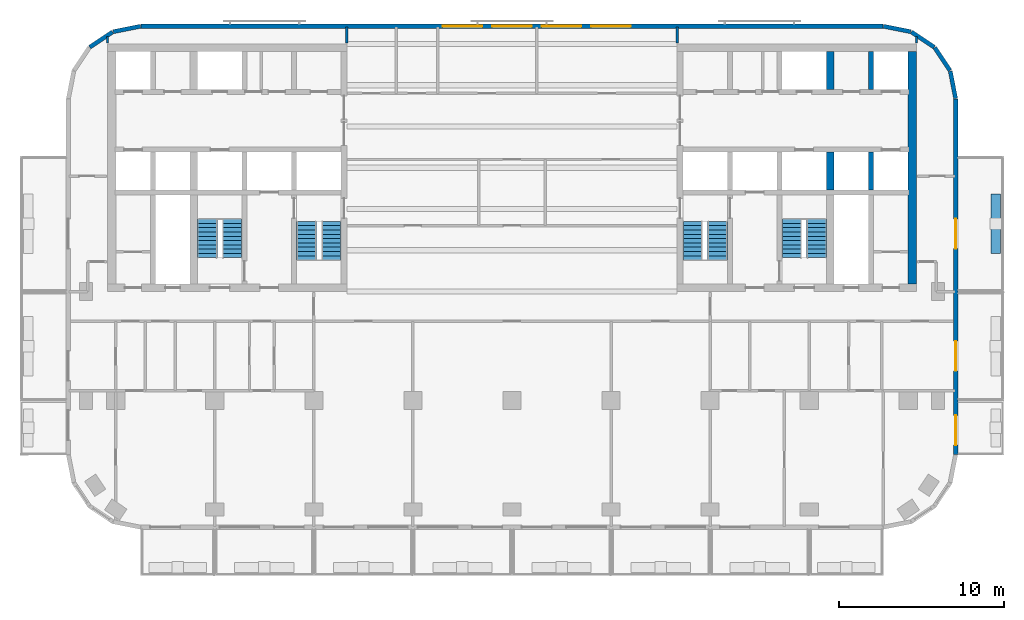
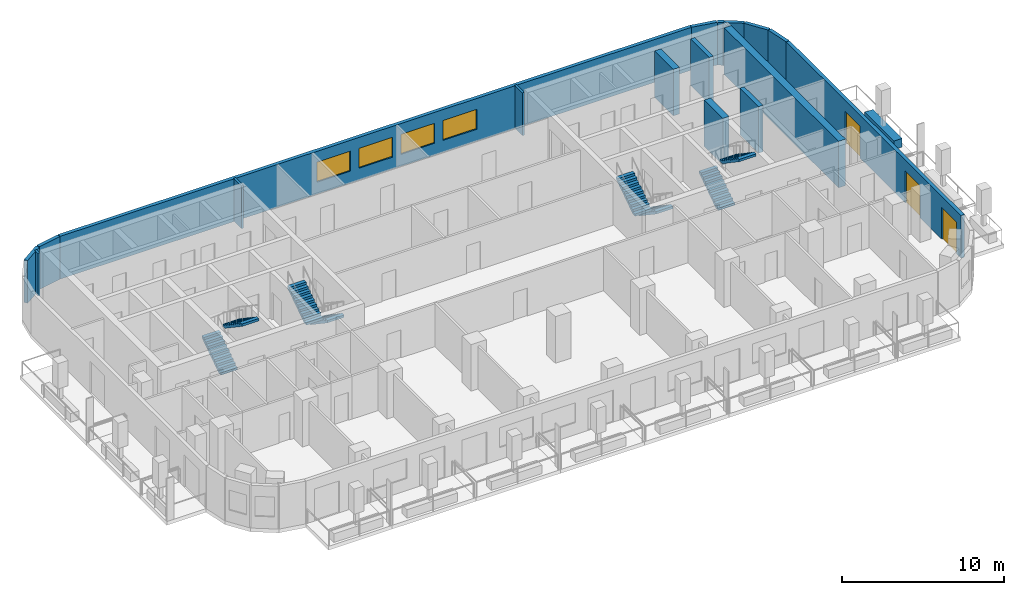
# One storey, part 7 of 11: 18 walls, 8 stair flights, 4 windows, 3 doors, 7 openings, 4 elements without a shape of their own.
"""IFC4 building model written with IfcOpenShell, lengths in metres."""

from ifc_helpers import new_model, si_unit, direction, frame, frame_2d, origin, place, context, subcontext, project, spatial, polyline, rectangle, outline, extrude, material, layer, layer_set, type_object, element, fill, aggregate, save


model = new_model("IFC4")

# Units and contexts
model_context = context("Model", 3, precision=1e-05, world=origin(), true_north=direction((0.0, 1.0)))
body_context = subcontext(model_context, "Body", "Model", "MODEL_VIEW")
ifc_project = project(units=[si_unit("LENGTHUNIT", "METRE"), si_unit("AREAUNIT", "SQUARE_METRE"), si_unit("VOLUMEUNIT", "CUBIC_METRE"), si_unit("PLANEANGLEUNIT", "RADIAN"), si_unit("MASSUNIT", "GRAM", prefix="KILO")], contexts=[model_context])

# Site, building, storey
site_placement = place(None, origin())
site = spatial("IfcSite", under=ifc_project, at=site_placement, CompositionType="ELEMENT")
building_placement = place(site_placement, origin())
building = spatial("IfcBuilding", under=site, at=building_placement, Name="Torana Hotel and Residences", CompositionType="ELEMENT")
storey_placement = place(building_placement, frame((0.0, 0.0, 218.60009765625)))
storey = spatial("IfcBuildingStorey", under=building, at=storey_placement, Name="L57", CompositionType="ELEMENT", Elevation=218.60009765625)

# Walls
ifc_material_1 = material(Name="Concrete C70/85", Category="concrete")
ifc_layer_1 = layer(ifc_material_1, 0.300048828125)
ifc_layer_set_1 = layer_set([ifc_layer_1], Name="CORE WALL 300 C70/85")
wall_type_1 = type_object("IfcWallType", Name="CORE WALL 300 C70/85", PredefinedType="SHEAR", material=ifc_layer_set_1)
for number, where, z_axis, x_axis, name in (
    (1, (21.75, -2.75, 0.0), (0.0, 0.0, 1.0), (0.0, 1.0, 0.0), "Core wall E mm-N"),
    (2, (21.75, -8.85009765625, 0.0), (0.0, 0.0, 1.0), (0.0, 1.0, 0.0), "Core wall E mm-S"),
):
    element("IfcWall", number, at=place(storey_placement, frame(where, z_axis=z_axis, x_axis=x_axis)), inside=storey, type_object=wall_type_1, Name=name, PredefinedType="SHEAR", context=body_context, shape_type="SweptSolid", body=[
        extrude(rectangle(XDim=2.300048828125, YDim=0.300048828125, at=frame_2d((1.14990234375, 0.0))), origin(), (0.0, 0.0, 1.0), 3.5),
    ])
ifc_material_2 = material(Name="Concrete C70/85", Category="concrete")
ifc_layer_2 = layer(ifc_material_2, 0.449951171875)
ifc_layer_set_2 = layer_set([ifc_layer_2], Name="CORE WALL 450 C70/85")
wall_type_2 = type_object("IfcWallType", Name="CORE WALL 450 C70/85", PredefinedType="SHEAR", material=ifc_layer_set_2)
for number, where, z_axis, x_axis, name in (
    (3, (19.27490234375, -2.75, 0.0), (0.0, 0.0, 1.0), (0.0, 1.0, 0.0), "Core wall E hm-N"),
    (4, (19.27490234375, -8.85009765625, 0.0), (0.0, 0.0, 1.0), (0.0, 1.0, 0.0), "Core wall E hm-S"),
):
    element("IfcWall", number, at=place(storey_placement, frame(where, z_axis=z_axis, x_axis=x_axis)), inside=storey, type_object=wall_type_2, Name=name, PredefinedType="SHEAR", context=body_context, shape_type="SweptSolid", body=[
        extrude(rectangle(XDim=2.300048828125, YDim=0.449951171875, at=frame_2d((1.14990234375, 0.0))), origin(), (0.0, 0.0, 1.0), 3.5),
    ])
ifc_material_3 = material(Name="Concrete C70/85", Category="concrete")
ifc_layer_3 = layer(ifc_material_3, 0.5)
ifc_layer_set_3 = layer_set([ifc_layer_3], Name="CORE WALL 500 C70/85")
wall_type_3 = type_object("IfcWallType", Name="CORE WALL 500 C70/85", PredefinedType="SHEAR", material=ifc_layer_set_3)
wall_1_placement = place(storey_placement, frame((24.25, -14.550048828125, 0.0), z_axis=(0.0, 0.0, 1.0), x_axis=(0.0, 1.0, 0.0)))
element("IfcWall", 5, at=wall_1_placement, inside=storey, type_object=wall_type_3, Name="Core wall E outer", PredefinedType="SHEAR", context=body_context, shape_type="SweptSolid", body=[
    extrude(rectangle(XDim=14.10009765625, YDim=0.5, at=frame_2d((7.050048828125, 0.0))), origin(), (0.0, 0.0, 1.0), 3.5),
])
ifc_material_4 = material(Name="Black aluminium composite panel", Category="aluminium")
ifc_layer_4 = layer(ifc_material_4, 0.00390625, Name="Cladding", Category="cladding")
ifc_material_5 = material(Name="Ventilated air cavity")
ifc_layer_5 = layer(ifc_material_5, 0.0400390625, Name="Ventilated cavity", Category="cavity")
ifc_material_6 = material(Name="Mineral wool insulation")
ifc_layer_6 = layer(ifc_material_6, 0.090087890625, Name="Insulation", Category="insulation")
ifc_material_7 = material(Name="Steel S280GD", Category="steel")
ifc_layer_7 = layer(ifc_material_7, 0.092041015625, Name="Steel stud frame", Category="structure")
ifc_material_8 = material(Name="Fire rated plasterboard")
ifc_layer_8 = layer(ifc_material_8, 0.011962890625, Name="Inner board", Category="finish")
ifc_layer_9 = layer(ifc_material_8, 0.011962890625, Name="Second board", Category="finish")
ifc_layer_set_4 = layer_set([ifc_layer_4, ifc_layer_5, ifc_layer_6, ifc_layer_7, ifc_layer_8, ifc_layer_9], Name="EW1 EXTERNAL WALL BLACK METAL CLAD 250")
wall_type_4 = type_object("IfcWallType", Name="EW1 EXTERNAL WALL BLACK METAL CLAD 250", PredefinedType="SOLIDWALL", material=ifc_layer_set_4)
wall_2_placement = place(storey_placement, frame((26.87255859375, -3.30029296875, 0.0), z_axis=(0.0, 0.0, 1.0), x_axis=(-0.194999110559, 0.980803419081, 0.0)))
element("IfcWall", 6, at=wall_2_placement, inside=storey, type_object=wall_type_4, Name="External wall L57 e0.0", PredefinedType="SOLIDWALL", context=body_context, shape_type="SweptSolid", body=[
    extrude(rectangle(XDim=1.681396484375, YDim=0.25, at=frame_2d((0.8408203125, 0.0))), origin(), (0.0, 0.0, 1.0), 3.219970703125),
])
for number, where, z_axis, x_axis, name in (
    (7, (26.52587890625, -1.60595703125, 0.0), (0.0, 0.0, 1.0), (-0.55555029066, 0.831482937015, 0.0), "External wall L57 e0.1"),
    (8, (25.5712890625, -0.1943359375, 0.0), (0.0, 0.0, 1.0), (-0.831482937015, 0.55555029066, 0.0), "External wall L57 e0.2"),
):
    element("IfcWall", number, at=place(storey_placement, frame(where, z_axis=z_axis, x_axis=x_axis)), inside=storey, type_object=wall_type_4, Name=name, PredefinedType="SOLIDWALL", context=body_context, shape_type="SweptSolid", body=[
        extrude(rectangle(XDim=1.65625, YDim=0.25, at=frame_2d((0.828125, 0.0))), origin(), (0.0, 0.0, 1.0), 3.219970703125),
    ])
for number, where, z_axis, x_axis, name in (
    (9, (24.14892578125, 0.74462890625, 0.0), (0.0, 0.0, 1.0), (-0.980803419081, 0.194999110559, 0.0), "External wall L57 e0.3"),
    (10, (-22.499755859375, 1.072509765625, 0.0), (0.0, 0.0, 1.0), (-0.980803419081, -0.194999110559, 0.0), "External wall L57 e0.5"),
):
    element("IfcWall", number, at=place(storey_placement, frame(where, z_axis=z_axis, x_axis=x_axis)), inside=storey, type_object=wall_type_4, Name=name, PredefinedType="SOLIDWALL", context=body_context, shape_type="SweptSolid", body=[
        extrude(rectangle(XDim=1.681396484375, YDim=0.25, at=frame_2d((0.8408203125, 0.0))), origin(), (0.0, 0.0, 1.0), 3.219970703125),
    ])
wall_3_placement = place(storey_placement, frame((-24.194091796875, 0.725830078125, 0.0), z_axis=(0.0, 0.0, 1.0), x_axis=(-0.831482937015, -0.55555029066, 0.0)))
element("IfcWall", 11, at=wall_3_placement, inside=storey, type_object=wall_type_4, Name="External wall L57 e0.6", PredefinedType="SOLIDWALL", context=body_context, shape_type="SweptSolid", body=[
    extrude(rectangle(XDim=1.65625, YDim=0.25, at=frame_2d((0.828125, 0.0))), origin(), (0.0, 0.0, 1.0), 3.219970703125),
])

# Wall, openings, doors
wall_4_placement = place(storey_placement, frame((26.875, -24.87548828125, 0.0), z_axis=(0.0, 0.0, 1.0), x_axis=(0.0, 1.0, 0.0)))
wall_4 = element("IfcWall", 12, at=wall_4_placement, inside=storey, type_object=wall_type_4, Name="External wall L57 e0.19", PredefinedType="SOLIDWALL", context=body_context, shape_type="SweptSolid", body=[
    extrude(rectangle(XDim=21.55078125, YDim=0.25, at=frame_2d((10.775390625, 0.0))), origin(), (0.0, 0.0, 1.0), 3.219970703125),
])
opening_1_placement = place(wall_4_placement, frame((0.575439453125, 0.0, 0.0)))
opening_1 = element("IfcOpeningElement", 13, at=opening_1_placement, cuts=wall_4, Name="Opening L57-E09", PredefinedType="OPENING", context=body_context, shape_type="SweptSolid", body=[
    extrude(rectangle(XDim=1.800048828125, YDim=2.39990234375, at=frame_2d((0.89990234375, 1.199951171875))), frame((0.0, 0.135009765625, 0.0), z_axis=(0.0, -1.0, 0.0), x_axis=(1.0, 0.0, 0.0)), (0.0, 0.0, 1.0), 0.27001953125),
])
opening_2_placement = place(wall_4_placement, frame((5.075439453125, 0.0, 0.0)))
opening_2 = element("IfcOpeningElement", 14, at=opening_2_placement, cuts=wall_4, Name="Opening L57-E10", PredefinedType="OPENING", context=body_context, shape_type="SweptSolid", body=[
    extrude(rectangle(XDim=1.800048828125, YDim=2.39990234375, at=frame_2d((0.89990234375, 1.199951171875))), frame((0.0, 0.135009765625, 0.0), z_axis=(0.0, -1.0, 0.0), x_axis=(1.0, 0.0, 0.0)), (0.0, 0.0, 1.0), 0.27001953125),
])
opening_3_placement = place(wall_4_placement, frame((12.475341796875, 0.0, 0.0)))
opening_3 = element("IfcOpeningElement", 15, at=opening_3_placement, cuts=wall_4, Name="Opening L57-E11", PredefinedType="OPENING", context=body_context, shape_type="SweptSolid", body=[
    extrude(rectangle(XDim=1.800048828125, YDim=2.39990234375, at=frame_2d((0.89990234375, 1.199951171875))), frame((0.0, 0.135009765625, 0.0), z_axis=(0.0, -1.0, 0.0), x_axis=(1.0, 0.0, 0.0)), (0.0, 0.0, 1.0), 0.27001953125),
])
ifc_material_9 = material(Name="Dark glass in black aluminium frame", Category="aluminium")
door_type = type_object("IfcDoorType", Name="DB1 BALCONY DOOR 1800x2400", OperationType="DOUBLE_DOOR_SINGLE_SWING", PredefinedType="DOOR", material=ifc_material_9)
door_1_placement = place(opening_1_placement, origin())
door_1 = element("IfcDoor", 16, at=door_1_placement, inside=storey, type_object=door_type, Name="Balcony door L57", OperationType="DOUBLE_DOOR_SINGLE_SWING", OverallHeight=2.39990234375, OverallWidth=1.800048828125, PredefinedType="DOOR", context=body_context, shape_type="SweptSolid", body=[
    extrude(rectangle(XDim=1.800048828125, YDim=2.39990234375, at=frame_2d((0.89990234375, 1.199951171875))), frame((0.0, 0.02490234375, 0.0), z_axis=(0.0, -1.0, 0.0), x_axis=(1.0, 0.0, 0.0)), (0.0, 0.0, 1.0), 0.050048828125),
])
fill(opening_1, door_1)
door_2_placement = place(opening_2_placement, origin())
door_2 = element("IfcDoor", 17, at=door_2_placement, inside=storey, type_object=door_type, Name="Balcony door L57", OperationType="DOUBLE_DOOR_SINGLE_SWING", OverallHeight=2.39990234375, OverallWidth=1.800048828125, PredefinedType="DOOR", context=body_context, shape_type="SweptSolid", body=[
    extrude(rectangle(XDim=1.800048828125, YDim=2.39990234375, at=frame_2d((0.89990234375, 1.199951171875))), frame((0.0, 0.02490234375, 0.0), z_axis=(0.0, -1.0, 0.0), x_axis=(1.0, 0.0, 0.0)), (0.0, 0.0, 1.0), 0.050048828125),
])
fill(opening_2, door_2)
door_3_placement = place(opening_3_placement, origin())
door_3 = element("IfcDoor", 18, at=door_3_placement, inside=storey, type_object=door_type, Name="Balcony door L57", OperationType="DOUBLE_DOOR_SINGLE_SWING", OverallHeight=2.39990234375, OverallWidth=1.800048828125, PredefinedType="DOOR", context=body_context, shape_type="SweptSolid", body=[
    extrude(rectangle(XDim=1.800048828125, YDim=2.39990234375, at=frame_2d((0.89990234375, 1.199951171875))), frame((0.0, 0.02490234375, 0.0), z_axis=(0.0, -1.0, 0.0), x_axis=(1.0, 0.0, 0.0)), (0.0, 0.0, 1.0), 0.050048828125),
])
fill(opening_3, door_3)

# Wall, openings, windows
ifc_material_10 = material(Name="Concrete C40/50 precast", Category="concrete")
ifc_layer_10 = layer(ifc_material_10, 0.10009765625, Name="Perforated block", Category="cladding")
ifc_material_11 = material(Name="Air cavity")
ifc_layer_11 = layer(ifc_material_11, 0.030029296875, Name="Cavity", Category="cavity")
ifc_material_12 = material(Name="Concrete C40/50", Category="concrete")
ifc_layer_12 = layer(ifc_material_12, 0.10009765625, Name="Wall", Category="structure")
ifc_material_13 = material(Name="Plaster and paint")
ifc_layer_13 = layer(ifc_material_13, 0.02001953125, Name="Inner finish", Category="finish")
ifc_layer_set_5 = layer_set([ifc_layer_10, ifc_layer_11, ifc_layer_12, ifc_layer_13], Name="EW2 PERFORATED BLOCK SCREEN WALL 250")
wall_type_5 = type_object("IfcWallType", Name="EW2 PERFORATED BLOCK SCREEN WALL 250", PredefinedType="SOLIDWALL", material=ifc_layer_set_5)
wall_5_placement = place(storey_placement, frame((22.475341796875, 1.074951171875, 0.0), z_axis=(0.0, 0.0, 1.0), x_axis=(-1.0, 0.0, 0.0)))
wall_5 = element("IfcWall", 19, at=wall_5_placement, inside=storey, type_object=wall_type_5, Name="External wall L57 e0.4", PredefinedType="SOLIDWALL", context=body_context, shape_type="SweptSolid", body=[
    extrude(rectangle(XDim=44.95068359375, YDim=0.25, at=frame_2d((22.475341796875, 0.0))), origin(), (0.0, 0.0, 1.0), 3.219970703125),
])
opening_4_placement = place(wall_5_placement, frame((15.275390625, 0.0, 0.89990234375)))
opening_4 = element("IfcOpeningElement", 20, at=opening_4_placement, cuts=wall_5, Name="Opening W3", PredefinedType="OPENING", context=body_context, shape_type="SweptSolid", body=[
    extrude(rectangle(XDim=2.39990234375, YDim=1.5, at=frame_2d((1.199951171875, 0.75))), frame((0.0, 0.135009765625, 0.0), z_axis=(0.0, -1.0, 0.0), x_axis=(1.0, 0.0, 0.0)), (0.0, 0.0, 1.0), 0.27001953125),
])
opening_5_placement = place(wall_5_placement, frame((18.275390625, 0.0, 0.89990234375)))
opening_5 = element("IfcOpeningElement", 21, at=opening_5_placement, cuts=wall_5, Name="Opening W3", PredefinedType="OPENING", context=body_context, shape_type="SweptSolid", body=[
    extrude(rectangle(XDim=2.39990234375, YDim=1.5, at=frame_2d((1.199951171875, 0.75))), frame((0.0, 0.135009765625, 0.0), z_axis=(0.0, -1.0, 0.0), x_axis=(1.0, 0.0, 0.0)), (0.0, 0.0, 1.0), 0.27001953125),
])
opening_6_placement = place(wall_5_placement, frame((21.275390625, 0.0, 0.89990234375)))
opening_6 = element("IfcOpeningElement", 22, at=opening_6_placement, cuts=wall_5, Name="Opening W3", PredefinedType="OPENING", context=body_context, shape_type="SweptSolid", body=[
    extrude(rectangle(XDim=2.39990234375, YDim=1.5, at=frame_2d((1.199951171875, 0.75))), frame((0.0, 0.135009765625, 0.0), z_axis=(0.0, -1.0, 0.0), x_axis=(1.0, 0.0, 0.0)), (0.0, 0.0, 1.0), 0.27001953125),
])
opening_7_placement = place(wall_5_placement, frame((24.275390625, 0.0, 0.89990234375)))
opening_7 = element("IfcOpeningElement", 23, at=opening_7_placement, cuts=wall_5, Name="Opening W3", PredefinedType="OPENING", context=body_context, shape_type="SweptSolid", body=[
    extrude(rectangle(XDim=2.39990234375, YDim=1.5, at=frame_2d((1.199951171875, 0.75))), frame((0.0, 0.135009765625, 0.0), z_axis=(0.0, -1.0, 0.0), x_axis=(1.0, 0.0, 0.0)), (0.0, 0.0, 1.0), 0.27001953125),
])
ifc_material_14 = material(Name="Dark glass in black aluminium frame", Category="aluminium")
window_type = type_object("IfcWindowType", Name="W3 RESIDENCE WINDOW 2400x1500", PartitioningType="SINGLE_PANEL", PredefinedType="WINDOW", material=ifc_material_14)
window_1_placement = place(opening_4_placement, origin())
window_1 = element("IfcWindow", 24, at=window_1_placement, inside=storey, type_object=window_type, Name="Window L57", OverallHeight=1.5, OverallWidth=2.39990234375, PartitioningType="SINGLE_PANEL", PredefinedType="WINDOW", context=body_context, shape_type="SweptSolid", body=[
    extrude(rectangle(XDim=2.39990234375, YDim=1.5, at=frame_2d((1.199951171875, 0.75))), frame((0.0, 0.030029296875, 0.0), z_axis=(0.0, -1.0, 0.0), x_axis=(1.0, 0.0, 0.0)), (0.0, 0.0, 1.0), 0.06005859375),
])
fill(opening_4, window_1)
window_2_placement = place(opening_5_placement, origin())
window_2 = element("IfcWindow", 25, at=window_2_placement, inside=storey, type_object=window_type, Name="Window L57", OverallHeight=1.5, OverallWidth=2.39990234375, PartitioningType="SINGLE_PANEL", PredefinedType="WINDOW", context=body_context, shape_type="SweptSolid", body=[
    extrude(rectangle(XDim=2.39990234375, YDim=1.5, at=frame_2d((1.199951171875, 0.75))), frame((0.0, 0.030029296875, 0.0), z_axis=(0.0, -1.0, 0.0), x_axis=(1.0, 0.0, 0.0)), (0.0, 0.0, 1.0), 0.06005859375),
])
fill(opening_5, window_2)
window_3_placement = place(opening_6_placement, origin())
window_3 = element("IfcWindow", 26, at=window_3_placement, inside=storey, type_object=window_type, Name="Window L57", OverallHeight=1.5, OverallWidth=2.39990234375, PartitioningType="SINGLE_PANEL", PredefinedType="WINDOW", context=body_context, shape_type="SweptSolid", body=[
    extrude(rectangle(XDim=2.39990234375, YDim=1.5, at=frame_2d((1.199951171875, 0.75))), frame((0.0, 0.030029296875, 0.0), z_axis=(0.0, -1.0, 0.0), x_axis=(1.0, 0.0, 0.0)), (0.0, 0.0, 1.0), 0.06005859375),
])
fill(opening_6, window_3)
window_4_placement = place(opening_7_placement, origin())
window_4 = element("IfcWindow", 27, at=window_4_placement, inside=storey, type_object=window_type, Name="Window L57", OverallHeight=1.5, OverallWidth=2.39990234375, PartitioningType="SINGLE_PANEL", PredefinedType="WINDOW", context=body_context, shape_type="SweptSolid", body=[
    extrude(rectangle(XDim=2.39990234375, YDim=1.5, at=frame_2d((1.199951171875, 0.75))), frame((0.0, 0.030029296875, 0.0), z_axis=(0.0, -1.0, 0.0), x_axis=(1.0, 0.0, 0.0)), (0.0, 0.0, 1.0), 0.06005859375),
])
fill(opening_7, window_4)

# Walls
ifc_material_15 = material(Name="Gypsum plasterboard")
ifc_layer_14 = layer(ifc_material_15, 0.012451171875, Name="Plasterboard", Category="finish")
ifc_layer_15 = layer(ifc_material_15, 0.012451171875, Name="Plasterboard", Category="finish")
ifc_layer_16 = layer(ifc_material_7, 0.10009765625, Name="Steel studs with mineral wool", Category="insulation")
ifc_layer_17 = layer(ifc_material_15, 0.012451171875, Name="Plasterboard", Category="finish")
ifc_layer_18 = layer(ifc_material_15, 0.012451171875, Name="Plasterboard", Category="finish")
ifc_layer_set_6 = layer_set([ifc_layer_14, ifc_layer_15, ifc_layer_16, ifc_layer_17, ifc_layer_18], Name="PARTITION 150 PLASTERBOARD")
wall_type_6 = type_object("IfcWallType", Name="PARTITION 150 PLASTERBOARD", PredefinedType="PARTITIONING", material=ifc_layer_set_6)
wall_6_placement = place(storey_placement, frame((24.5, 0.050048828125, 0.0), z_axis=(0.0, 0.0, 1.0), x_axis=(0.0, 1.0, 0.0)))
element("IfcWall", 28, at=wall_6_placement, inside=storey, type_object=wall_type_6, Name="Partition L57", PredefinedType="PARTITIONING", context=body_context, shape_type="SweptSolid", body=[
    extrude(rectangle(XDim=0.4052734375, YDim=0.14990234375, at=frame_2d((0.20263671875, 0.0))), origin(), (0.0, 0.0, 1.0), 3.219970703125),
])
wall_7_placement = place(storey_placement, frame((10.0, 0.050048828125, 0.0), z_axis=(0.0, 0.0, 1.0), x_axis=(0.0, 1.0, 0.0)))
element("IfcWall", 29, at=wall_7_placement, inside=storey, type_object=wall_type_6, Name="Partition L57", PredefinedType="PARTITIONING", context=body_context, shape_type="SweptSolid", body=[
    extrude(rectangle(XDim=0.969970703125, YDim=0.14990234375, at=frame_2d((0.48486328125, 0.0))), origin(), (0.0, 0.0, 1.0), 3.219970703125),
])
wall_8_placement = place(storey_placement, frame((-24.5, 0.050048828125, 0.0), z_axis=(0.0, 0.0, 1.0), x_axis=(0.0, 1.0, 0.0)))
element("IfcWall", 30, at=wall_8_placement, inside=storey, type_object=wall_type_6, Name="Partition L57", PredefinedType="PARTITIONING", context=body_context, shape_type="SweptSolid", body=[
    extrude(rectangle(XDim=0.4052734375, YDim=0.14990234375, at=frame_2d((0.20263671875, 0.0))), origin(), (0.0, 0.0, 1.0), 3.219970703125),
])
ifc_layer_19 = layer(ifc_material_10, 0.10009765625, Name="Planter shell", Category="structure")
ifc_material_16 = material(Name="Root resistant membrane")
ifc_layer_20 = layer(ifc_material_16, 0.00390625, Name="Waterproofing membrane", Category="membrane")
ifc_material_17 = material(Name="Drainage board with filter fleece")
ifc_layer_21 = layer(ifc_material_17, 0.02001953125, Name="Drainage board", Category="drainage")
ifc_material_18 = material(Name="Growing medium")
ifc_layer_22 = layer(ifc_material_18, 0.47607421875, Name="Planting substrate", Category="soil")
ifc_layer_set_7 = layer_set([ifc_layer_19, ifc_layer_20, ifc_layer_21, ifc_layer_22], Name="PL1 BALCONY PLANTER 600")
wall_type_7 = type_object("IfcWallType", Name="PL1 BALCONY PLANTER 600", PredefinedType="USERDEFINED", material=ifc_layer_set_7)
wall_9_placement = place(storey_placement, frame((29.300048828125, -9.10009765625, 0.0), z_axis=(0.0, 0.0, 1.0), x_axis=(0.0, -1.0, 0.0)))
element("IfcWall", 31, at=wall_9_placement, inside=storey, type_object=wall_type_7, Name="Planter 14", ObjectType="PLANTER", PredefinedType="USERDEFINED", context=body_context, shape_type="SweptSolid", body=[
    extrude(rectangle(XDim=3.599853515625, YDim=0.60009765625, at=frame_2d((1.7998046875, 0.0))), origin(), (0.0, 0.0, 1.0), 0.64990234375),
])
ifc_material_19 = material(Name="Ceramic tile on adhesive")
ifc_layer_23 = layer(ifc_material_19, 0.010009765625, Name="Wall tile", Category="finish")
ifc_material_20 = material(Name="Cement render")
ifc_layer_24 = layer(ifc_material_20, 0.010009765625, Name="Render", Category="finish")
ifc_material_21 = material(Name="Concrete blockwork", Category="masonry")
ifc_layer_25 = layer(ifc_material_21, 0.110107421875, Name="Blockwork", Category="structure")
ifc_layer_26 = layer(ifc_material_20, 0.010009765625, Name="Render", Category="finish")
ifc_layer_27 = layer(ifc_material_19, 0.010009765625, Name="Wall tile", Category="finish")
ifc_layer_set_8 = layer_set([ifc_layer_23, ifc_layer_24, ifc_layer_25, ifc_layer_26, ifc_layer_27], Name="WC PARTITION 150")
wall_type_8 = type_object("IfcWallType", Name="WC PARTITION 150", PredefinedType="PLUMBINGWALL", material=ifc_layer_set_8)
wall_10_placement = place(storey_placement, frame((-10.0, 0.050048828125, 0.0), z_axis=(0.0, 0.0, 1.0), x_axis=(0.0, 1.0, 0.0)))
element("IfcWall", 32, at=wall_10_placement, inside=storey, type_object=wall_type_8, Name="Partition L57", PredefinedType="PLUMBINGWALL", context=body_context, shape_type="SweptSolid", body=[
    extrude(rectangle(XDim=0.969970703125, YDim=0.14990234375, at=frame_2d((0.48486328125, 0.0))), origin(), (0.0, 0.0, 1.0), 3.219970703125),
])

# Stair, stair flights
ifc_material_22 = material(Name="Concrete C40/50 precast", Category="concrete")
stair_type_1 = type_object("IfcStairType", Name="STAIR ST1 HALF TURN 1200", PredefinedType="HALF_TURN_STAIR", material=ifc_material_22)
stair_1_placement = place(storey_placement, origin())
stair_1 = element("IfcStair", 33, at=stair_1_placement, inside=storey, type_object=stair_type_1, Name="Stair ST1 L57", PredefinedType="HALF_TURN_STAIR")
ifc_material_23 = material(Name="Concrete C40/50 precast", Category="concrete")
stair_flight_type = type_object("IfcStairFlightType", Name="STAIR FLIGHT 1200 PRECAST", PredefinedType="STRAIGHT", material=ifc_material_23)
stair_flight_1_placement = place(storey_placement, frame((-10.949951171875, -10.75, 0.0), z_axis=(0.0, 0.0, 1.0), x_axis=(0.0, -1.0, 0.0)))
stair_flight_1 = element("IfcStairFlight", 34, at=stair_flight_1_placement, type_object=stair_flight_type, Name="ST1 flight 1", NumberOfRisers=10, NumberOfTreads=9, PredefinedType="STRAIGHT", RiserHeight=0.175, TreadLength=0.26, context=body_context, shape_type="SweptSolid", body=[
    extrude(outline(polyline([(0.0, 0.0), (0.0, 0.175048828125), (0.260009765625, 0.175048828125), (0.260009765625, 0.35009765625), (0.52001953125, 0.35009765625), (0.52001953125, 0.52490234375), (0.780029296875, 0.52490234375), (0.780029296875, 0.699951171875), (1.0400390625, 0.699951171875), (1.0400390625, 0.875), (1.300048828125, 0.875), (1.300048828125, 1.050048828125), (1.56005859375, 1.050048828125), (1.56005859375, 1.22509765625), (1.820068359375, 1.22509765625), (1.820068359375, 1.39990234375), (2.080078125, 1.39990234375), (2.080078125, 1.574951171875), (2.340087890625, 1.574951171875), (2.340087890625, 1.75), (2.340087890625, 1.394287109375), (0.2685546875, 0.0), (0.0, 0.0)])), frame((0.0, 0.60009765625, 0.0), z_axis=(0.0, -1.0, 0.0), x_axis=(1.0, 0.0, 0.0)), (0.0, 0.0, 1.0), 1.199951171875),
])
stair_flight_2_placement = place(storey_placement, frame((-12.449951171875, -13.090087890625, 1.75), z_axis=(0.0, 0.0, 1.0), x_axis=(0.0, 1.0, 0.0)))
stair_flight_2 = element("IfcStairFlight", 35, at=stair_flight_2_placement, type_object=stair_flight_type, Name="ST1 flight 2", NumberOfRisers=10, NumberOfTreads=9, PredefinedType="STRAIGHT", RiserHeight=0.175, TreadLength=0.26, context=body_context, shape_type="SweptSolid", body=[
    extrude(outline(polyline([(0.0, 0.0), (0.0, 0.175048828125), (0.260009765625, 0.175048828125), (0.260009765625, 0.35009765625), (0.52001953125, 0.35009765625), (0.52001953125, 0.52490234375), (0.780029296875, 0.52490234375), (0.780029296875, 0.699951171875), (1.0400390625, 0.699951171875), (1.0400390625, 0.875), (1.300048828125, 0.875), (1.300048828125, 1.050048828125), (1.56005859375, 1.050048828125), (1.56005859375, 1.22509765625), (1.820068359375, 1.22509765625), (1.820068359375, 1.39990234375), (2.080078125, 1.39990234375), (2.080078125, 1.574951171875), (2.340087890625, 1.574951171875), (2.340087890625, 1.75), (2.340087890625, 1.394287109375), (0.2685546875, 0.0), (0.0, 0.0)])), frame((0.0, 0.60009765625, 0.0), z_axis=(0.0, -1.0, 0.0), x_axis=(1.0, 0.0, 0.0)), (0.0, 0.0, 1.0), 1.199951171875),
])
aggregate(stair_1, [stair_flight_1, stair_flight_2])

ifc_material_24 = material(Name="Concrete C40/50 precast", Category="concrete")
stair_type_2 = type_object("IfcStairType", Name="STAIR ST2 HALF TURN 1200", PredefinedType="HALF_TURN_STAIR", material=ifc_material_24)
stair_2_placement = place(storey_placement, origin())
stair_2 = element("IfcStair", 36, at=stair_2_placement, inside=storey, type_object=stair_type_2, Name="Stair ST2 L57", PredefinedType="HALF_TURN_STAIR")
stair_flight_3_placement = place(storey_placement, frame((-18.449951171875, -12.949951171875, 0.0), z_axis=(0.0, 0.0, 1.0), x_axis=(0.0, 1.0, 0.0)))
stair_flight_3 = element("IfcStairFlight", 37, at=stair_flight_3_placement, type_object=stair_flight_type, Name="ST2 flight 1", NumberOfRisers=10, NumberOfTreads=9, PredefinedType="STRAIGHT", RiserHeight=0.175, TreadLength=0.26, context=body_context, shape_type="SweptSolid", body=[
    extrude(outline(polyline([(0.0, 0.0), (0.0, 0.175048828125), (0.260009765625, 0.175048828125), (0.260009765625, 0.35009765625), (0.52001953125, 0.35009765625), (0.52001953125, 0.52490234375), (0.780029296875, 0.52490234375), (0.780029296875, 0.699951171875), (1.0400390625, 0.699951171875), (1.0400390625, 0.875), (1.300048828125, 0.875), (1.300048828125, 1.050048828125), (1.56005859375, 1.050048828125), (1.56005859375, 1.22509765625), (1.820068359375, 1.22509765625), (1.820068359375, 1.39990234375), (2.080078125, 1.39990234375), (2.080078125, 1.574951171875), (2.340087890625, 1.574951171875), (2.340087890625, 1.75), (2.340087890625, 1.394287109375), (0.2685546875, 0.0), (0.0, 0.0)])), frame((0.0, 0.60009765625, 0.0), z_axis=(0.0, -1.0, 0.0), x_axis=(1.0, 0.0, 0.0)), (0.0, 0.0, 1.0), 1.199951171875),
])
stair_flight_4_placement = place(storey_placement, frame((-16.949951171875, -10.610107421875, 1.75), z_axis=(0.0, 0.0, 1.0), x_axis=(0.0, -1.0, 0.0)))
stair_flight_4 = element("IfcStairFlight", 38, at=stair_flight_4_placement, type_object=stair_flight_type, Name="ST2 flight 2", NumberOfRisers=10, NumberOfTreads=9, PredefinedType="STRAIGHT", RiserHeight=0.175, TreadLength=0.26, context=body_context, shape_type="SweptSolid", body=[
    extrude(outline(polyline([(0.0, 0.0), (0.0, 0.175048828125), (0.260009765625, 0.175048828125), (0.260009765625, 0.35009765625), (0.52001953125, 0.35009765625), (0.52001953125, 0.52490234375), (0.780029296875, 0.52490234375), (0.780029296875, 0.699951171875), (1.0400390625, 0.699951171875), (1.0400390625, 0.875), (1.300048828125, 0.875), (1.300048828125, 1.050048828125), (1.56005859375, 1.050048828125), (1.56005859375, 1.22509765625), (1.820068359375, 1.22509765625), (1.820068359375, 1.39990234375), (2.080078125, 1.39990234375), (2.080078125, 1.574951171875), (2.340087890625, 1.574951171875), (2.340087890625, 1.75), (2.340087890625, 1.394287109375), (0.2685546875, 0.0), (0.0, 0.0)])), frame((0.0, 0.60009765625, 0.0), z_axis=(0.0, -1.0, 0.0), x_axis=(1.0, 0.0, 0.0)), (0.0, 0.0, 1.0), 1.199951171875),
])
aggregate(stair_2, [stair_flight_3, stair_flight_4])

ifc_material_25 = material(Name="Concrete C40/50 precast", Category="concrete")
stair_type_3 = type_object("IfcStairType", Name="STAIR ST3 HALF TURN 1200", PredefinedType="HALF_TURN_STAIR", material=ifc_material_25)
stair_3_placement = place(storey_placement, origin())
stair_3 = element("IfcStair", 39, at=stair_3_placement, inside=storey, type_object=stair_type_3, Name="Stair ST3 L57", PredefinedType="HALF_TURN_STAIR")
stair_flight_5_placement = place(storey_placement, frame((12.449951171875, -10.75, 0.0), z_axis=(0.0, 0.0, 1.0), x_axis=(0.0, -1.0, 0.0)))
stair_flight_5 = element("IfcStairFlight", 40, at=stair_flight_5_placement, type_object=stair_flight_type, Name="ST3 flight 1", NumberOfRisers=10, NumberOfTreads=9, PredefinedType="STRAIGHT", RiserHeight=0.175, TreadLength=0.26, context=body_context, shape_type="SweptSolid", body=[
    extrude(outline(polyline([(0.0, 0.0), (0.0, 0.175048828125), (0.260009765625, 0.175048828125), (0.260009765625, 0.35009765625), (0.52001953125, 0.35009765625), (0.52001953125, 0.52490234375), (0.780029296875, 0.52490234375), (0.780029296875, 0.699951171875), (1.0400390625, 0.699951171875), (1.0400390625, 0.875), (1.300048828125, 0.875), (1.300048828125, 1.050048828125), (1.56005859375, 1.050048828125), (1.56005859375, 1.22509765625), (1.820068359375, 1.22509765625), (1.820068359375, 1.39990234375), (2.080078125, 1.39990234375), (2.080078125, 1.574951171875), (2.340087890625, 1.574951171875), (2.340087890625, 1.75), (2.340087890625, 1.394287109375), (0.2685546875, 0.0), (0.0, 0.0)])), frame((0.0, 0.60009765625, 0.0), z_axis=(0.0, -1.0, 0.0), x_axis=(1.0, 0.0, 0.0)), (0.0, 0.0, 1.0), 1.199951171875),
])
stair_flight_6_placement = place(storey_placement, frame((10.949951171875, -13.090087890625, 1.75), z_axis=(0.0, 0.0, 1.0), x_axis=(0.0, 1.0, 0.0)))
stair_flight_6 = element("IfcStairFlight", 41, at=stair_flight_6_placement, type_object=stair_flight_type, Name="ST3 flight 2", NumberOfRisers=10, NumberOfTreads=9, PredefinedType="STRAIGHT", RiserHeight=0.175, TreadLength=0.26, context=body_context, shape_type="SweptSolid", body=[
    extrude(outline(polyline([(0.0, 0.0), (0.0, 0.175048828125), (0.260009765625, 0.175048828125), (0.260009765625, 0.35009765625), (0.52001953125, 0.35009765625), (0.52001953125, 0.52490234375), (0.780029296875, 0.52490234375), (0.780029296875, 0.699951171875), (1.0400390625, 0.699951171875), (1.0400390625, 0.875), (1.300048828125, 0.875), (1.300048828125, 1.050048828125), (1.56005859375, 1.050048828125), (1.56005859375, 1.22509765625), (1.820068359375, 1.22509765625), (1.820068359375, 1.39990234375), (2.080078125, 1.39990234375), (2.080078125, 1.574951171875), (2.340087890625, 1.574951171875), (2.340087890625, 1.75), (2.340087890625, 1.394287109375), (0.2685546875, 0.0), (0.0, 0.0)])), frame((0.0, 0.60009765625, 0.0), z_axis=(0.0, -1.0, 0.0), x_axis=(1.0, 0.0, 0.0)), (0.0, 0.0, 1.0), 1.199951171875),
])
aggregate(stair_3, [stair_flight_5, stair_flight_6])

ifc_material_26 = material(Name="Concrete C40/50 precast", Category="concrete")
stair_type_4 = type_object("IfcStairType", Name="STAIR ST4 HALF TURN 1200", PredefinedType="HALF_TURN_STAIR", material=ifc_material_26)
stair_4_placement = place(storey_placement, origin())
stair_4 = element("IfcStair", 42, at=stair_4_placement, inside=storey, type_object=stair_type_4, Name="Stair ST4 L57", PredefinedType="HALF_TURN_STAIR")
stair_flight_7_placement = place(storey_placement, frame((16.949951171875, -12.949951171875, 0.0), z_axis=(0.0, 0.0, 1.0), x_axis=(0.0, 1.0, 0.0)))
stair_flight_7 = element("IfcStairFlight", 43, at=stair_flight_7_placement, type_object=stair_flight_type, Name="ST4 flight 1", NumberOfRisers=10, NumberOfTreads=9, PredefinedType="STRAIGHT", RiserHeight=0.175, TreadLength=0.26, context=body_context, shape_type="SweptSolid", body=[
    extrude(outline(polyline([(0.0, 0.0), (0.0, 0.175048828125), (0.260009765625, 0.175048828125), (0.260009765625, 0.35009765625), (0.52001953125, 0.35009765625), (0.52001953125, 0.52490234375), (0.780029296875, 0.52490234375), (0.780029296875, 0.699951171875), (1.0400390625, 0.699951171875), (1.0400390625, 0.875), (1.300048828125, 0.875), (1.300048828125, 1.050048828125), (1.56005859375, 1.050048828125), (1.56005859375, 1.22509765625), (1.820068359375, 1.22509765625), (1.820068359375, 1.39990234375), (2.080078125, 1.39990234375), (2.080078125, 1.574951171875), (2.340087890625, 1.574951171875), (2.340087890625, 1.75), (2.340087890625, 1.394287109375), (0.2685546875, 0.0), (0.0, 0.0)])), frame((0.0, 0.60009765625, 0.0), z_axis=(0.0, -1.0, 0.0), x_axis=(1.0, 0.0, 0.0)), (0.0, 0.0, 1.0), 1.199951171875),
])
stair_flight_8_placement = place(storey_placement, frame((18.449951171875, -10.610107421875, 1.75), z_axis=(0.0, 0.0, 1.0), x_axis=(0.0, -1.0, 0.0)))
stair_flight_8 = element("IfcStairFlight", 44, at=stair_flight_8_placement, type_object=stair_flight_type, Name="ST4 flight 2", NumberOfRisers=10, NumberOfTreads=9, PredefinedType="STRAIGHT", RiserHeight=0.175, TreadLength=0.26, context=body_context, shape_type="SweptSolid", body=[
    extrude(outline(polyline([(0.0, 0.0), (0.0, 0.175048828125), (0.260009765625, 0.175048828125), (0.260009765625, 0.35009765625), (0.52001953125, 0.35009765625), (0.52001953125, 0.52490234375), (0.780029296875, 0.52490234375), (0.780029296875, 0.699951171875), (1.0400390625, 0.699951171875), (1.0400390625, 0.875), (1.300048828125, 0.875), (1.300048828125, 1.050048828125), (1.56005859375, 1.050048828125), (1.56005859375, 1.22509765625), (1.820068359375, 1.22509765625), (1.820068359375, 1.39990234375), (2.080078125, 1.39990234375), (2.080078125, 1.574951171875), (2.340087890625, 1.574951171875), (2.340087890625, 1.75), (2.340087890625, 1.394287109375), (0.2685546875, 0.0), (0.0, 0.0)])), frame((0.0, 0.60009765625, 0.0), z_axis=(0.0, -1.0, 0.0), x_axis=(1.0, 0.0, 0.0)), (0.0, 0.0, 1.0), 1.199951171875),
])
aggregate(stair_4, [stair_flight_7, stair_flight_8])

save(model, "model.ifc")
